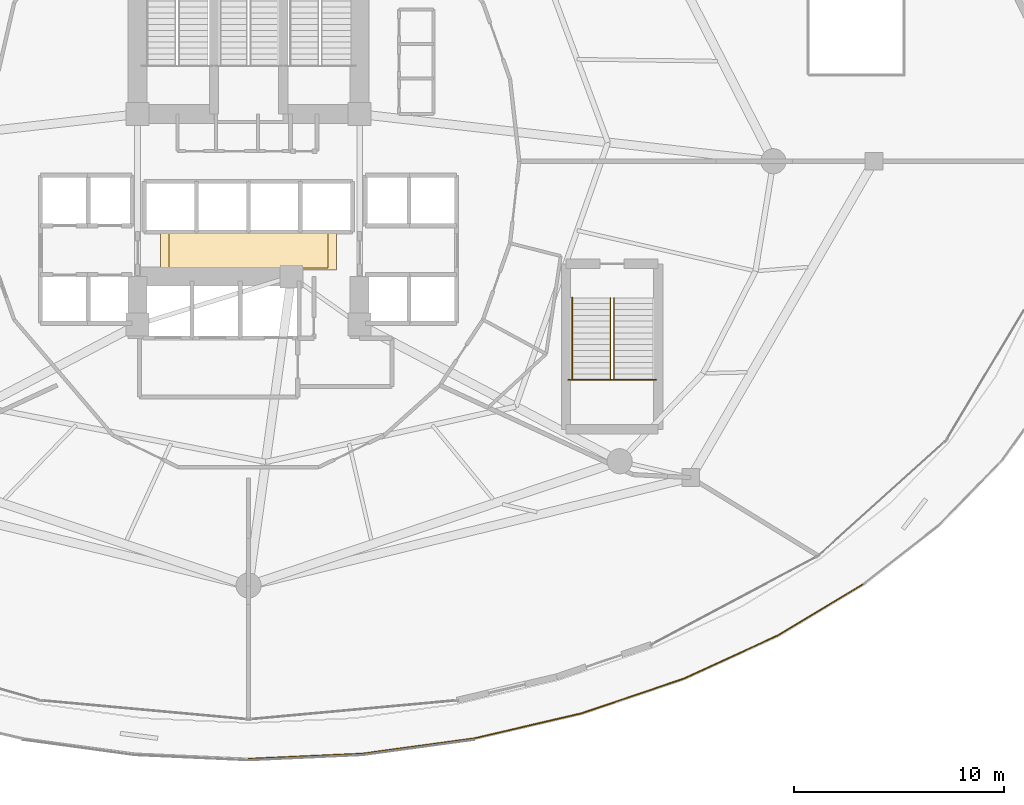
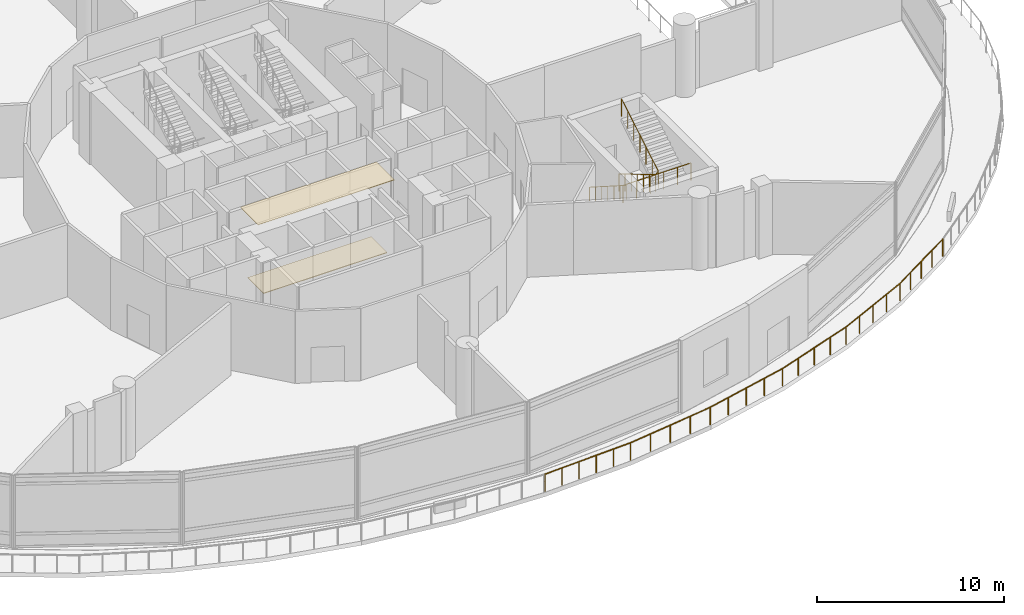
# One storey, part 32 of 37: 4 railings, 2 coverings.
"""IFC4 building model written with IfcOpenShell, lengths in metres."""

import ifcopenshell
import ifcopenshell.guid

model = None  # the IFC model being written
_history = None  # IfcOwnerHistory: only IFC2X3 demands one
_inside = {}  # id of a spatial element -> (the spatial element, [elements in it])
_under = {}  # id of a project, library or spatial element -> (it, [spatial elements below it])
_declared = {}  # id of a project -> (the project, [libraries it declares])
_typed = {}  # id of a type object -> (the type object, [elements of that type])
_made_of = {}  # id of a material, layer set ... -> (it, [elements and type objects made of it])


def new_model(schema):
    """Start an empty IFC model of exactly this schema.

    Asked for "IFC4X3", IfcOpenShell would pick the latest addendum, in which some entities
    have other attributes; the version numbers below select the first issue.
    IFC2X3 requires an IfcOwnerHistory on every rooted entity: one is made here for all.
    """
    global model, _history
    if schema == "IFC4X3":
        model = ifcopenshell.file(schema_version=(4, 3, 0, 0))
    else:
        model = ifcopenshell.file(schema=schema)
    _inside.clear()
    _under.clear()
    _declared.clear()
    _typed.clear()
    _made_of.clear()
    _history = None
    if model.schema == "IFC2X3":
        org = make("IfcOrganization", Name="unknown")
        user = make(
            "IfcPersonAndOrganization",
            ThePerson=make("IfcPerson", FamilyName="unknown"),
            TheOrganization=org,
        )
        app = make(
            "IfcApplication",
            ApplicationDeveloper=org,
            Version="unknown",
            ApplicationFullName="unknown",
            ApplicationIdentifier="unknown",
        )
        _history = make(
            "IfcOwnerHistory",
            OwningUser=user,
            OwningApplication=app,
            ChangeAction="ADDED",
            CreationDate=0,
        )
    return model


def make(cls, **values):
    """One entity of the class cls with the attributes given. An attribute that is None is left unset."""
    return model.create_entity(
        cls, **{name: value for name, value in values.items() if value is not None}
    )


def rooted(cls, **values):
    """An entity with a GlobalId (a new one), such as an element, a storey or a relation."""
    return make(cls, GlobalId=ifcopenshell.guid.new(), OwnerHistory=_history, **values)


def si_unit(unit_type, name, prefix=None):
    """IfcSIUnit, for example si_unit("LENGTHUNIT", "METRE", prefix="MILLI")."""
    return make("IfcSIUnit", UnitType=unit_type, Prefix=prefix, Name=name)


def assignment(units):
    """IfcUnitAssignment: the units of a project."""
    return None if units is None else make("IfcUnitAssignment", Units=units)


def point(xyz):
    """IfcCartesianPoint."""
    return None if xyz is None else make("IfcCartesianPoint", Coordinates=xyz)


def direction(xyz):
    """IfcDirection."""
    return None if xyz is None else make("IfcDirection", DirectionRatios=xyz)


def frame(location, z_axis=None, x_axis=None):
    """IfcAxis2Placement3D, a coordinate frame: its origin and axes. An axis left out is left unset."""
    return make(
        "IfcAxis2Placement3D",
        Location=point(location),
        Axis=direction(z_axis),
        RefDirection=direction(x_axis),
    )


def origin():
    """The frame at (0, 0, 0) with its axes left unset."""
    return frame((0.0, 0.0, 0.0))


def place(relative_to, where):
    """IfcLocalPlacement: puts the frame where relative to a parent placement (None: the world)."""
    return make(
        "IfcLocalPlacement", PlacementRelTo=relative_to, RelativePlacement=where
    )


def context(
    kind, dimensions, precision=None, world=None, true_north=None, identifier=None
):
    """IfcGeometricRepresentationContext, for example the 3D "Model" context."""
    return make(
        "IfcGeometricRepresentationContext",
        ContextIdentifier=identifier,
        ContextType=kind,
        CoordinateSpaceDimension=dimensions,
        Precision=precision,
        WorldCoordinateSystem=world,
        TrueNorth=true_north,
    )


def subcontext(parent, identifier, kind, view, scale=None):
    """IfcGeometricRepresentationSubContext, for example "Body" below "Model"."""
    return make(
        "IfcGeometricRepresentationSubContext",
        ContextIdentifier=identifier,
        ContextType=kind,
        ParentContext=parent,
        TargetScale=scale,
        TargetView=view,
    )


def project(units=None, contexts=None):
    """IfcProject with its units and contexts."""
    return rooted(
        "IfcProject",
        Name="project",
        RepresentationContexts=contexts,
        UnitsInContext=assignment(units),
    )


def spatial(cls, under=None, at=None, **own):
    """A site, building, storey or space (cls), placed at a placement, below another one or the project."""
    s = rooted(cls, ObjectPlacement=at, **own)
    if under is not None:
        _under.setdefault(under.id(), (under, []))[1].append(s)
    return s


def polyline(points):
    """IfcPolyline through the points."""
    return make("IfcPolyline", Points=[point(p) for p in points])


def outline(outer, holes=None, kind="AREA"):
    """IfcArbitraryClosedProfileDef: a profile drawn as a closed curve; with holes, ...WithVoids."""
    if holes is None:
        return make("IfcArbitraryClosedProfileDef", ProfileType=kind, OuterCurve=outer)
    return make(
        "IfcArbitraryProfileDefWithVoids",
        ProfileType=kind,
        OuterCurve=outer,
        InnerCurves=holes,
    )


def extrude(swept, where, along, depth):
    """IfcExtrudedAreaSolid: the profile swept, set in the frame where, extruded along a direction by depth."""
    return make(
        "IfcExtrudedAreaSolid",
        SweptArea=swept,
        Position=where,
        ExtrudedDirection=direction(along),
        Depth=depth,
    )


def shape(context_of_items, identifier, shape_type, items):
    """IfcShapeRepresentation: the items that make up one representation, for example the "Body"."""
    return make(
        "IfcShapeRepresentation",
        ContextOfItems=context_of_items,
        RepresentationIdentifier=identifier,
        RepresentationType=shape_type,
        Items=items,
    )


def material(Name=None, Category=None):
    """IfcMaterial."""
    return make("IfcMaterial", Name=Name, Category=Category)


def layer(
    of_material, thickness, ventilated=None, Name=None, Category=None, Priority=None
):
    """IfcMaterialLayer: one layer of a wall or slab, of a material (None: an air gap)."""
    return make(
        "IfcMaterialLayer",
        Material=of_material,
        LayerThickness=thickness,
        IsVentilated=ventilated,
        Name=Name,
        Category=Category,
        Priority=Priority,
    )


def layer_set(layers, Name=None):
    """IfcMaterialLayerSet."""
    return make("IfcMaterialLayerSet", MaterialLayers=layers, LayerSetName=Name)


def made_of(thing, what):
    """Note that an element or type object is made of a material, layer set ...; save() writes the relation."""
    if what is not None:
        _made_of.setdefault(what.id(), (what, []))[1].append(thing)
    return thing


def type_object(cls, material=None, **own):
    """A type object (cls), such as IfcWallType, which elements share."""
    return made_of(rooted(cls, **own), material)


def element(
    cls,
    number,
    at=None,
    inside=None,
    cuts=None,
    type_object=None,
    material=None,
    context=None,
    identifier="Body",
    shape_type=None,
    held_by="IfcProductDefinitionShape",
    body=None,
    shapes=None,
    **own,
):
    """One element of the class cls, such as IfcWall. Its Tag is "e" and its number.

    at: its placement. inside: the storey or other place that contains it. cuts: it is an
    opening in that element (IfcRelVoidsElement). A single representation is given by context,
    identifier, shape_type and body (its items); several are given by shapes. held_by: the class
    of the entity that holds the representations. save() writes the other relations.
    """
    e = rooted(cls, Tag="e%d" % number, ObjectPlacement=at, **own)
    if body is not None:
        shapes = [shape(context, identifier, shape_type, body)]
    if shapes is not None:
        e.Representation = make(held_by, Representations=shapes)
    if inside is not None:
        _inside.setdefault(inside.id(), (inside, []))[1].append(e)
    if cuts is not None:
        rooted(
            "IfcRelVoidsElement", RelatingBuildingElement=cuts, RelatedOpeningElement=e
        )
    if type_object is not None:
        _typed.setdefault(type_object.id(), (type_object, []))[1].append(e)
    return made_of(e, material)


def aggregate(whole, parts):
    """IfcRelAggregates: a whole, such as a stair, and the parts it consists of."""
    return rooted("IfcRelAggregates", RelatingObject=whole, RelatedObjects=parts)


def save(model, path):
    """Write the relations noted so far, then the file.

    IfcRelAggregates (storeys below a building ...), IfcRelContainedInSpatialStructure (elements
    in a storey), IfcRelDefinesByType, IfcRelAssociatesMaterial and IfcRelDeclares: one each for
    every whole, place, type object, material and project.
    """
    for whole, parts in _under.values():
        aggregate(whole, parts)
    for where, things in _inside.values():
        rooted(
            "IfcRelContainedInSpatialStructure",
            RelatedElements=things,
            RelatingStructure=where,
        )
    for kind, things in _typed.values():
        rooted("IfcRelDefinesByType", RelatedObjects=things, RelatingType=kind)
    for what, things in _made_of.values():
        rooted("IfcRelAssociatesMaterial", RelatedObjects=things, RelatingMaterial=what)
    for by, libraries in _declared.values():
        rooted("IfcRelDeclares", RelatingContext=by, RelatedDefinitions=libraries)
    model.write(path)


model = new_model("IFC4")

# Units and contexts
model_context = context("Model", 3, precision=1e-05, world=origin(), true_north=direction((0.0, 1.0)))
body_context = subcontext(model_context, "Body", "Model", "MODEL_VIEW")
ifc_project = project(units=[si_unit("LENGTHUNIT", "METRE"), si_unit("AREAUNIT", "SQUARE_METRE"), si_unit("VOLUMEUNIT", "CUBIC_METRE"), si_unit("PLANEANGLEUNIT", "RADIAN"), si_unit("MASSUNIT", "GRAM", prefix="KILO")], contexts=[model_context])

# Site, building, storey
site_placement = place(None, origin())
site = spatial("IfcSite", under=ifc_project, at=site_placement, CompositionType="ELEMENT")
building_placement = place(site_placement, origin())
building = spatial("IfcBuilding", under=site, at=building_placement, Name="Nuhasar Tower", CompositionType="ELEMENT")
storey_placement = place(building_placement, frame((0.0, 0.0, 6.0)))
storey = spatial("IfcBuildingStorey", under=building, at=storey_placement, Name="L01", CompositionType="ELEMENT", Elevation=6.0)

# Coverings
ifc_material_1 = material(Name="Mineral Fibre Acoustic", Category="insulation")
ifc_layer_1 = layer(ifc_material_1, 0.0400390625)
ifc_layer_set_1 = layer_set([ifc_layer_1], Name="Mineral Fibre Acoustic")
covering_type_1 = type_object("IfcCoveringType", Name="COV-CEIL-AC60", PredefinedType="CEILING", material=ifc_layer_set_1)
covering_1_placement = place(storey_placement, frame((0.0, 0.0, 4.659912109375)))
element("IfcCovering", 1, at=covering_1_placement, inside=storey, type_object=covering_type_1, Name="L01 Lift Lobby Acoustic Ceiling", PredefinedType="CEILING", context=body_context, shape_type="SweptSolid", body=[
    extrude(outline(polyline([(34.800048828125, 21.60009765625), (43.199951171875, 21.60009765625), (43.199951171875, 23.5), (34.800048828125, 23.5), (34.800048828125, 21.60009765625)])), origin(), (0.0, 0.0, 1.0), 0.0400390625),
])
ifc_material_2 = material(Name="Granite Stone Tile", Category="masonry")
ifc_layer_2 = layer(ifc_material_2, 0.0400390625)
ifc_layer_set_2 = layer_set([ifc_layer_2], Name="Granite Stone Tile")
covering_type_2 = type_object("IfcCoveringType", Name="COV-FLR-STN40", PredefinedType="FLOORING", material=ifc_layer_set_2)
covering_2_placement = place(storey_placement, origin())
element("IfcCovering", 2, at=covering_2_placement, inside=storey, type_object=covering_type_2, Name="L01 Granite Lobby Flooring", PredefinedType="FLOORING", context=body_context, shape_type="SweptSolid", body=[
    extrude(outline(polyline([(35.199951171875, 21.699951171875), (42.800048828125, 21.699951171875), (42.800048828125, 23.39990234375), (35.199951171875, 23.39990234375), (35.199951171875, 21.699951171875)])), origin(), (0.0, 0.0, 1.0), 0.0400390625),
])

# Railings
ifc_material_3 = material(Name="Steel S355", Category="steel")
railing_type_1 = type_object("IfcRailingType", Name="RLG-STAIR-GUARD-1150", PredefinedType="GUARDRAIL", material=ifc_material_3)
railing_1_placement = place(storey_placement, frame((54.25, 16.364990234375, 2.5)))
element("IfcRailing", 3, at=railing_1_placement, inside=storey, type_object=railing_type_1, Name="L01 Stair ST-05 Guardrail LND", PredefinedType="GUARDRAIL", context=body_context, shape_type="SweptSolid", body=[
    extrude(outline(polyline([(0.024169921875, 0.0), (0.01708984375, 0.01708984375), (0.0, 0.024169921875), (-0.01708984375, 0.01708984375), (-0.024169921875, 0.0), (-0.01708984375, -0.01708984375), (0.0, -0.024169921875), (0.01708984375, -0.01708984375), (0.024169921875, 0.0)])), frame((0.0, 0.0, 1.1259765625), z_axis=(1.0, 0.0, 0.0), x_axis=(0.0, 1.0, 0.0)), (0.0, 0.0, 1.0), 4.199951171875),
    extrude(outline(polyline([(0.02099609375, 0.0), (0.014892578125, 0.014892578125), (0.0, 0.02099609375), (-0.014892578125, 0.014892578125), (-0.02099609375, 0.0), (-0.014892578125, -0.014892578125), (0.0, -0.02099609375), (0.014892578125, -0.014892578125), (0.02099609375, 0.0)])), origin(), (0.0, 0.0, 1.0), 1.101806640625),
    extrude(outline(polyline([(0.02099609375, 0.0), (0.014892578125, 0.014892578125), (0.0, 0.02099609375), (-0.014892578125, 0.014892578125), (-0.02099609375, 0.0), (-0.014892578125, -0.014892578125), (0.0, -0.02099609375), (0.014892578125, -0.014892578125), (0.02099609375, 0.0)])), frame((0.840087890625, 0.0, 0.0)), (0.0, 0.0, 1.0), 1.101806640625),
    extrude(outline(polyline([(0.02099609375, 0.0), (0.014892578125, 0.014892578125), (0.0, 0.02099609375), (-0.014892578125, 0.014892578125), (-0.02099609375, 0.0), (-0.014892578125, -0.014892578125), (0.0, -0.02099609375), (0.014892578125, -0.014892578125), (0.02099609375, 0.0)])), frame((1.679931640625, 0.0, 0.0)), (0.0, 0.0, 1.0), 1.101806640625),
    extrude(outline(polyline([(0.02099609375, 0.0), (0.014892578125, 0.014892578125), (0.0, 0.02099609375), (-0.014892578125, 0.014892578125), (-0.02099609375, 0.0), (-0.014892578125, -0.014892578125), (0.0, -0.02099609375), (0.014892578125, -0.014892578125), (0.02099609375, 0.0)])), frame((2.52001953125, 0.0, 0.0)), (0.0, 0.0, 1.0), 1.101806640625),
    extrude(outline(polyline([(0.02099609375, 0.0), (0.014892578125, 0.014892578125), (0.0, 0.02099609375), (-0.014892578125, 0.014892578125), (-0.02099609375, 0.0), (-0.014892578125, -0.014892578125), (0.0, -0.02099609375), (0.014892578125, -0.014892578125), (0.02099609375, 0.0)])), frame((3.35986328125, 0.0, 0.0)), (0.0, 0.0, 1.0), 1.101806640625),
    extrude(outline(polyline([(0.02099609375, 0.0), (0.014892578125, 0.014892578125), (0.0, 0.02099609375), (-0.014892578125, 0.014892578125), (-0.02099609375, 0.0), (-0.014892578125, -0.014892578125), (0.0, -0.02099609375), (0.014892578125, -0.014892578125), (0.02099609375, 0.0)])), frame((4.199951171875, 0.0, 0.0)), (0.0, 0.0, 1.0), 1.101806640625),
])
railing_2_placement = place(storey_placement, frame((56.27001953125, 20.284912109375, 0.1669921875)))
element("IfcRailing", 4, at=railing_2_placement, inside=storey, type_object=railing_type_1, Name="L01 Stair ST-05 Guardrail SLT", PredefinedType="GUARDRAIL", context=body_context, shape_type="SweptSolid", body=[
    extrude(outline(polyline([(0.024169921875, 0.0), (0.01708984375, 0.01708984375), (0.0, 0.024169921875), (-0.01708984375, 0.01708984375), (-0.024169921875, 0.0), (-0.01708984375, -0.01708984375), (0.0, -0.024169921875), (0.01708984375, -0.01708984375), (0.024169921875, 0.0)])), frame((0.0, 0.0, 1.1259765625), z_axis=(0.0, -0.85931976652, 0.511438695121), x_axis=(1.0, 0.0, 0.0)), (0.0, 0.0, 1.0), 4.561767578125),
    extrude(outline(polyline([(0.024169921875, 0.0), (0.01708984375, 0.01708984375), (0.0, 0.024169921875), (-0.01708984375, 0.01708984375), (-0.024169921875, 0.0), (-0.01708984375, -0.01708984375), (0.0, -0.024169921875), (0.01708984375, -0.01708984375), (0.024169921875, 0.0)])), frame((0.0, -3.919921875, 3.458984375), z_axis=(0.691630103864, 0.0, 0.722251894722), x_axis=(0.0, 1.0, 0.0)), (0.0, 0.0, 1.0), 0.231201171875),
    extrude(outline(polyline([(0.024169921875, 0.0), (0.01708984375, 0.01708984375), (0.0, 0.024169921875), (-0.01708984375, 0.01708984375), (-0.024169921875, 0.0), (-0.01708984375, -0.01708984375), (0.0, -0.024169921875), (0.01708984375, -0.01708984375), (0.024169921875, 0.0)])), frame((0.159912109375, -3.919921875, 3.6259765625), z_axis=(0.0, 0.85931976652, 0.511438695121), x_axis=(-1.0, 0.0, 0.0)), (0.0, 0.0, 1.0), 4.561767578125),
    extrude(outline(polyline([(0.02099609375, 0.0), (0.014892578125, 0.014892578125), (0.0, 0.02099609375), (-0.014892578125, 0.014892578125), (-0.02099609375, 0.0), (-0.014892578125, -0.014892578125), (0.0, -0.02099609375), (0.014892578125, -0.014892578125), (0.02099609375, 0.0)])), origin(), (0.0, 0.0, 1.0), 1.101806640625),
    extrude(outline(polyline([(0.02099609375, 0.0), (0.014892578125, 0.014892578125), (0.0, 0.02099609375), (-0.014892578125, 0.014892578125), (-0.02099609375, 0.0), (-0.014892578125, -0.014892578125), (0.0, -0.02099609375), (0.014892578125, -0.014892578125), (0.02099609375, 0.0)])), frame((0.0, -0.6533203125, 0.388916015625)), (0.0, 0.0, 1.0), 1.101806640625),
    extrude(outline(polyline([(0.02099609375, 0.0), (0.014892578125, 0.014892578125), (0.0, 0.02099609375), (-0.014892578125, 0.014892578125), (-0.02099609375, 0.0), (-0.014892578125, -0.014892578125), (0.0, -0.02099609375), (0.014892578125, -0.014892578125), (0.02099609375, 0.0)])), frame((0.0, -1.306640625, 0.777587890625)), (0.0, 0.0, 1.0), 1.101806640625),
    extrude(outline(polyline([(0.02099609375, 0.0), (0.014892578125, 0.014892578125), (0.0, 0.02099609375), (-0.014892578125, 0.014892578125), (-0.02099609375, 0.0), (-0.014892578125, -0.014892578125), (0.0, -0.02099609375), (0.014892578125, -0.014892578125), (0.02099609375, 0.0)])), frame((0.0, -1.9599609375, 1.16650390625)), (0.0, 0.0, 1.0), 1.101806640625),
    extrude(outline(polyline([(0.02099609375, 0.0), (0.014892578125, 0.014892578125), (0.0, 0.02099609375), (-0.014892578125, 0.014892578125), (-0.02099609375, 0.0), (-0.014892578125, -0.014892578125), (0.0, -0.02099609375), (0.014892578125, -0.014892578125), (0.02099609375, 0.0)])), frame((0.0, -2.61328125, 1.555419921875)), (0.0, 0.0, 1.0), 1.101806640625),
    extrude(outline(polyline([(0.02099609375, 0.0), (0.014892578125, 0.014892578125), (0.0, 0.02099609375), (-0.014892578125, 0.014892578125), (-0.02099609375, 0.0), (-0.014892578125, -0.014892578125), (0.0, -0.02099609375), (0.014892578125, -0.014892578125), (0.02099609375, 0.0)])), frame((0.0, -3.2666015625, 1.944091796875)), (0.0, 0.0, 1.0), 1.101806640625),
    extrude(outline(polyline([(0.02099609375, 0.0), (0.014892578125, 0.014892578125), (0.0, 0.02099609375), (-0.014892578125, 0.014892578125), (-0.02099609375, 0.0), (-0.014892578125, -0.014892578125), (0.0, -0.02099609375), (0.014892578125, -0.014892578125), (0.02099609375, 0.0)])), frame((0.0, -3.919921875, 2.3330078125)), (0.0, 0.0, 1.0), 1.101806640625),
    extrude(outline(polyline([(0.02099609375, 0.0), (0.014892578125, 0.014892578125), (0.0, 0.02099609375), (-0.014892578125, 0.014892578125), (-0.02099609375, 0.0), (-0.014892578125, -0.014892578125), (0.0, -0.02099609375), (0.014892578125, -0.014892578125), (0.02099609375, 0.0)])), frame((0.159912109375, -3.919921875, 2.5)), (0.0, 0.0, 1.0), 1.101806640625),
    extrude(outline(polyline([(0.02099609375, 0.0), (0.014892578125, 0.014892578125), (0.0, 0.02099609375), (-0.014892578125, 0.014892578125), (-0.02099609375, 0.0), (-0.014892578125, -0.014892578125), (0.0, -0.02099609375), (0.014892578125, -0.014892578125), (0.02099609375, 0.0)])), frame((0.159912109375, -3.2666015625, 2.888916015625)), (0.0, 0.0, 1.0), 1.101806640625),
    extrude(outline(polyline([(0.02099609375, 0.0), (0.014892578125, 0.014892578125), (0.0, 0.02099609375), (-0.014892578125, 0.014892578125), (-0.02099609375, 0.0), (-0.014892578125, -0.014892578125), (0.0, -0.02099609375), (0.014892578125, -0.014892578125), (0.02099609375, 0.0)])), frame((0.159912109375, -2.61328125, 3.277587890625)), (0.0, 0.0, 1.0), 1.101806640625),
    extrude(outline(polyline([(0.02099609375, 0.0), (0.014892578125, 0.014892578125), (0.0, 0.02099609375), (-0.014892578125, 0.014892578125), (-0.02099609375, 0.0), (-0.014892578125, -0.014892578125), (0.0, -0.02099609375), (0.014892578125, -0.014892578125), (0.02099609375, 0.0)])), frame((0.159912109375, -1.9599609375, 3.66650390625)), (0.0, 0.0, 1.0), 1.101806640625),
    extrude(outline(polyline([(0.02099609375, 0.0), (0.014892578125, 0.014892578125), (0.0, 0.02099609375), (-0.014892578125, 0.014892578125), (-0.02099609375, 0.0), (-0.014892578125, -0.014892578125), (0.0, -0.02099609375), (0.014892578125, -0.014892578125), (0.02099609375, 0.0)])), frame((0.159912109375, -1.306640625, 4.055419921875)), (0.0, 0.0, 1.0), 1.101806640625),
    extrude(outline(polyline([(0.02099609375, 0.0), (0.014892578125, 0.014892578125), (0.0, 0.02099609375), (-0.014892578125, 0.014892578125), (-0.02099609375, 0.0), (-0.014892578125, -0.014892578125), (0.0, -0.02099609375), (0.014892578125, -0.014892578125), (0.02099609375, 0.0)])), frame((0.159912109375, -0.6533203125, 4.444091796875)), (0.0, 0.0, 1.0), 1.101806640625),
    extrude(outline(polyline([(0.02099609375, 0.0), (0.014892578125, 0.014892578125), (0.0, 0.02099609375), (-0.014892578125, 0.014892578125), (-0.02099609375, 0.0), (-0.014892578125, -0.014892578125), (0.0, -0.02099609375), (0.014892578125, -0.014892578125), (0.02099609375, 0.0)])), frame((0.159912109375, 0.0, 4.8330078125)), (0.0, 0.0, 1.0), 1.101806640625),
])
ifc_material_4 = material(Name="Stainless Steel 316L", Category="steel")
railing_type_2 = type_object("IfcRailingType", Name="RLG-STAIR-HAND-920", PredefinedType="HANDRAIL", material=ifc_material_4)
railing_3_placement = place(storey_placement, frame((54.449951171875, 20.284912109375, 0.1669921875)))
element("IfcRailing", 5, at=railing_3_placement, inside=storey, type_object=railing_type_2, Name="L01 Stair ST-05 Handrail HND1", PredefinedType="HANDRAIL", context=body_context, shape_type="SweptSolid", body=[
    extrude(outline(polyline([(0.024169921875, 0.0), (0.01708984375, 0.01708984375), (0.0, 0.024169921875), (-0.01708984375, 0.01708984375), (-0.024169921875, 0.0), (-0.01708984375, -0.01708984375), (0.0, -0.024169921875), (0.01708984375, -0.01708984375), (0.024169921875, 0.0)])), frame((0.0, 0.0, 0.89599609375), z_axis=(0.0, -0.843124831705, 0.537717879712), x_axis=(1.0, 0.0, 0.0)), (0.0, 0.0, 1.0), 4.649169921875),
    extrude(outline(polyline([(0.02099609375, 0.0), (0.014892578125, 0.014892578125), (0.0, 0.02099609375), (-0.014892578125, 0.014892578125), (-0.02099609375, 0.0), (-0.014892578125, -0.014892578125), (0.0, -0.02099609375), (0.014892578125, -0.014892578125), (0.02099609375, 0.0)])), origin(), (0.0, 0.0, 1.0), 0.871826171875),
    extrude(outline(polyline([(0.02099609375, 0.0), (0.014892578125, 0.014892578125), (0.0, 0.02099609375), (-0.014892578125, 0.014892578125), (-0.02099609375, 0.0), (-0.014892578125, -0.014892578125), (0.0, -0.02099609375), (0.014892578125, -0.014892578125), (0.02099609375, 0.0)])), frame((0.0, -0.6533203125, 0.416748046875)), (0.0, 0.0, 1.0), 0.871826171875),
    extrude(outline(polyline([(0.02099609375, 0.0), (0.014892578125, 0.014892578125), (0.0, 0.02099609375), (-0.014892578125, 0.014892578125), (-0.02099609375, 0.0), (-0.014892578125, -0.014892578125), (0.0, -0.02099609375), (0.014892578125, -0.014892578125), (0.02099609375, 0.0)])), frame((0.0, -1.306640625, 0.833251953125)), (0.0, 0.0, 1.0), 0.871826171875),
    extrude(outline(polyline([(0.02099609375, 0.0), (0.014892578125, 0.014892578125), (0.0, 0.02099609375), (-0.014892578125, 0.014892578125), (-0.02099609375, 0.0), (-0.014892578125, -0.014892578125), (0.0, -0.02099609375), (0.014892578125, -0.014892578125), (0.02099609375, 0.0)])), frame((0.0, -1.9599609375, 1.25)), (0.0, 0.0, 1.0), 0.871826171875),
    extrude(outline(polyline([(0.02099609375, 0.0), (0.014892578125, 0.014892578125), (0.0, 0.02099609375), (-0.014892578125, 0.014892578125), (-0.02099609375, 0.0), (-0.014892578125, -0.014892578125), (0.0, -0.02099609375), (0.014892578125, -0.014892578125), (0.02099609375, 0.0)])), frame((0.0, -2.61328125, 1.666748046875)), (0.0, 0.0, 1.0), 0.871826171875),
    extrude(outline(polyline([(0.02099609375, 0.0), (0.014892578125, 0.014892578125), (0.0, 0.02099609375), (-0.014892578125, 0.014892578125), (-0.02099609375, 0.0), (-0.014892578125, -0.014892578125), (0.0, -0.02099609375), (0.014892578125, -0.014892578125), (0.02099609375, 0.0)])), frame((0.0, -3.2666015625, 2.083251953125)), (0.0, 0.0, 1.0), 0.871826171875),
    extrude(outline(polyline([(0.02099609375, 0.0), (0.014892578125, 0.014892578125), (0.0, 0.02099609375), (-0.014892578125, 0.014892578125), (-0.02099609375, 0.0), (-0.014892578125, -0.014892578125), (0.0, -0.02099609375), (0.014892578125, -0.014892578125), (0.02099609375, 0.0)])), frame((0.0, -3.919921875, 2.5)), (0.0, 0.0, 1.0), 0.871826171875),
])
railing_type_3 = type_object("IfcRailingType", Name="RLG-TERR-1150", PredefinedType="BALUSTRADE", material=ifc_material_3)
railing_4_placement = place(storey_placement, frame((39.0, -1.719970703125, 0.0)))
element("IfcRailing", 6, at=railing_4_placement, inside=storey, type_object=railing_type_3, Name="L01 Bustan Terrace Perimeter Balustrade 07", PredefinedType="BALUSTRADE", context=body_context, shape_type="SweptSolid", body=[
    extrude(outline(polyline([(0.024169921875, 0.0), (0.01708984375, 0.01708984375), (0.0, 0.024169921875), (-0.01708984375, 0.01708984375), (-0.024169921875, 0.0), (-0.01708984375, -0.01708984375), (0.0, -0.024169921875), (0.01708984375, -0.01708984375), (0.024169921875, 0.0)])), frame((0.0, 0.0, 1.1259765625), z_axis=(0.998988671287, 0.044962591576, 0.0), x_axis=(-0.044962591576, 0.998988671287, 0.0)), (0.0, 0.0, 1.0), 5.42431640625),
    extrude(outline(polyline([(0.024169921875, 0.0), (0.01708984375, 0.01708984375), (0.0, 0.024169921875), (-0.01708984375, 0.01708984375), (-0.024169921875, 0.0), (-0.01708984375, -0.01708984375), (0.0, -0.024169921875), (0.01708984375, -0.01708984375), (0.024169921875, 0.0)])), frame((5.4189453125, 0.243896484375, 1.1259765625), z_axis=(0.990790336006, 0.135404985425, 0.0), x_axis=(-0.135404985425, 0.990790336006, 0.0)), (0.0, 0.0, 1.0), 5.376708984375),
    extrude(outline(polyline([(0.024169921875, 0.0), (0.01708984375, 0.01708984375), (0.0, 0.024169921875), (-0.01708984375, 0.01708984375), (-0.024169921875, 0.0), (-0.01708984375, -0.01708984375), (0.0, -0.024169921875), (0.01708984375, -0.01708984375), (0.024169921875, 0.0)])), frame((10.74609375, 0.971923828125, 1.1259765625), z_axis=(0.973883819877, 0.227046923305, 0.0), x_axis=(-0.227046923305, 0.973883819877, 0.0)), (0.0, 0.0, 1.0), 5.28076171875),
    extrude(outline(polyline([(0.024169921875, 0.0), (0.01708984375, 0.01708984375), (0.0, 0.024169921875), (-0.01708984375, 0.01708984375), (-0.024169921875, 0.0), (-0.01708984375, -0.01708984375), (0.0, -0.024169921875), (0.01708984375, -0.01708984375), (0.024169921875, 0.0)])), frame((15.888916015625, 2.1708984375, 1.1259765625), z_axis=(0.94712922006, 0.320852365597, 0.0), x_axis=(-0.320852365597, 0.94712922006, 0.0)), (0.0, 0.0, 1.0), 5.14306640625),
    extrude(outline(polyline([(0.024169921875, 0.0), (0.01708984375, 0.01708984375), (0.0, 0.024169921875), (-0.01708984375, 0.01708984375), (-0.024169921875, 0.0), (-0.01708984375, -0.01708984375), (0.0, -0.024169921875), (0.01708984375, -0.01708984375), (0.024169921875, 0.0)])), frame((20.760009765625, 3.821044921875, 1.1259765625), z_axis=(0.908818857155, 0.417190945348, 0.0), x_axis=(-0.417190945348, 0.908818857155, 0.0)), (0.0, 0.0, 1.0), 4.968994140625),
    extrude(outline(polyline([(0.024169921875, 0.0), (0.01708984375, 0.01708984375), (0.0, 0.024169921875), (-0.01708984375, 0.01708984375), (-0.024169921875, 0.0), (-0.01708984375, -0.01708984375), (0.0, -0.024169921875), (0.01708984375, -0.01708984375), (0.024169921875, 0.0)])), frame((25.27587890625, 5.89404296875, 1.1259765625), z_axis=(0.856694284933, 0.51582448775, 0.0), x_axis=(-0.51582448775, 0.856694284933, 0.0)), (0.0, 0.0, 1.0), 4.726318359375),
    extrude(outline(polyline([(0.02099609375, 0.0), (0.014892578125, 0.014892578125), (0.0, 0.02099609375), (-0.014892578125, 0.014892578125), (-0.02099609375, 0.0), (-0.014892578125, -0.014892578125), (0.0, -0.02099609375), (0.014892578125, -0.014892578125), (0.02099609375, 0.0)])), origin(), (0.0, 0.0, 1.0), 1.101806640625),
    extrude(outline(polyline([(0.02099609375, 0.0), (0.014892578125, 0.014892578125), (0.0, 0.02099609375), (-0.014892578125, 0.014892578125), (-0.02099609375, 0.0), (-0.014892578125, -0.014892578125), (0.0, -0.02099609375), (0.014892578125, -0.014892578125), (0.02099609375, 0.0)])), frame((1.083740234375, 0.048828125, 0.0)), (0.0, 0.0, 1.0), 1.101806640625),
    extrude(outline(polyline([(0.02099609375, 0.0), (0.014892578125, 0.014892578125), (0.0, 0.02099609375), (-0.014892578125, 0.014892578125), (-0.02099609375, 0.0), (-0.014892578125, -0.014892578125), (0.0, -0.02099609375), (0.014892578125, -0.014892578125), (0.02099609375, 0.0)])), frame((2.16748046875, 0.09765625, 0.0)), (0.0, 0.0, 1.0), 1.101806640625),
    extrude(outline(polyline([(0.02099609375, 0.0), (0.014892578125, 0.014892578125), (0.0, 0.02099609375), (-0.014892578125, 0.014892578125), (-0.02099609375, 0.0), (-0.014892578125, -0.014892578125), (0.0, -0.02099609375), (0.014892578125, -0.014892578125), (0.02099609375, 0.0)])), frame((3.25146484375, 0.146240234375, 0.0)), (0.0, 0.0, 1.0), 1.101806640625),
    extrude(outline(polyline([(0.02099609375, 0.0), (0.014892578125, 0.014892578125), (0.0, 0.02099609375), (-0.014892578125, 0.014892578125), (-0.02099609375, 0.0), (-0.014892578125, -0.014892578125), (0.0, -0.02099609375), (0.014892578125, -0.014892578125), (0.02099609375, 0.0)])), frame((4.335205078125, 0.195068359375, 0.0)), (0.0, 0.0, 1.0), 1.101806640625),
    extrude(outline(polyline([(0.02099609375, 0.0), (0.014892578125, 0.014892578125), (0.0, 0.02099609375), (-0.014892578125, 0.014892578125), (-0.02099609375, 0.0), (-0.014892578125, -0.014892578125), (0.0, -0.02099609375), (0.014892578125, -0.014892578125), (0.02099609375, 0.0)])), frame((5.4189453125, 0.243896484375, 0.0)), (0.0, 0.0, 1.0), 1.101806640625),
    extrude(outline(polyline([(0.02099609375, 0.0), (0.014892578125, 0.014892578125), (0.0, 0.02099609375), (-0.014892578125, 0.014892578125), (-0.02099609375, 0.0), (-0.014892578125, -0.014892578125), (0.0, -0.02099609375), (0.014892578125, -0.014892578125), (0.02099609375, 0.0)])), frame((6.750732421875, 0.42578125, 0.0)), (0.0, 0.0, 1.0), 1.101806640625),
    extrude(outline(polyline([(0.02099609375, 0.0), (0.014892578125, 0.014892578125), (0.0, 0.02099609375), (-0.014892578125, 0.014892578125), (-0.02099609375, 0.0), (-0.014892578125, -0.014892578125), (0.0, -0.02099609375), (0.014892578125, -0.014892578125), (0.02099609375, 0.0)])), frame((8.08251953125, 0.60791015625, 0.0)), (0.0, 0.0, 1.0), 1.101806640625),
    extrude(outline(polyline([(0.02099609375, 0.0), (0.014892578125, 0.014892578125), (0.0, 0.02099609375), (-0.014892578125, 0.014892578125), (-0.02099609375, 0.0), (-0.014892578125, -0.014892578125), (0.0, -0.02099609375), (0.014892578125, -0.014892578125), (0.02099609375, 0.0)])), frame((9.414306640625, 0.7900390625, 0.0)), (0.0, 0.0, 1.0), 1.101806640625),
    extrude(outline(polyline([(0.02099609375, 0.0), (0.014892578125, 0.014892578125), (0.0, 0.02099609375), (-0.014892578125, 0.014892578125), (-0.02099609375, 0.0), (-0.014892578125, -0.014892578125), (0.0, -0.02099609375), (0.014892578125, -0.014892578125), (0.02099609375, 0.0)])), frame((10.74609375, 0.971923828125, 0.0)), (0.0, 0.0, 1.0), 1.101806640625),
    extrude(outline(polyline([(0.02099609375, 0.0), (0.014892578125, 0.014892578125), (0.0, 0.02099609375), (-0.014892578125, 0.014892578125), (-0.02099609375, 0.0), (-0.014892578125, -0.014892578125), (0.0, -0.02099609375), (0.014892578125, -0.014892578125), (0.02099609375, 0.0)])), frame((12.03173828125, 1.271728515625, 0.0)), (0.0, 0.0, 1.0), 1.101806640625),
    extrude(outline(polyline([(0.02099609375, 0.0), (0.014892578125, 0.014892578125), (0.0, 0.02099609375), (-0.014892578125, 0.014892578125), (-0.02099609375, 0.0), (-0.014892578125, -0.014892578125), (0.0, -0.02099609375), (0.014892578125, -0.014892578125), (0.02099609375, 0.0)])), frame((13.3173828125, 1.5712890625, 0.0)), (0.0, 0.0, 1.0), 1.101806640625),
    extrude(outline(polyline([(0.02099609375, 0.0), (0.014892578125, 0.014892578125), (0.0, 0.02099609375), (-0.014892578125, 0.014892578125), (-0.02099609375, 0.0), (-0.014892578125, -0.014892578125), (0.0, -0.02099609375), (0.014892578125, -0.014892578125), (0.02099609375, 0.0)])), frame((14.603271484375, 1.87109375, 0.0)), (0.0, 0.0, 1.0), 1.101806640625),
    extrude(outline(polyline([(0.02099609375, 0.0), (0.014892578125, 0.014892578125), (0.0, 0.02099609375), (-0.014892578125, 0.014892578125), (-0.02099609375, 0.0), (-0.014892578125, -0.014892578125), (0.0, -0.02099609375), (0.014892578125, -0.014892578125), (0.02099609375, 0.0)])), frame((15.888916015625, 2.1708984375, 0.0)), (0.0, 0.0, 1.0), 1.101806640625),
    extrude(outline(polyline([(0.02099609375, 0.0), (0.014892578125, 0.014892578125), (0.0, 0.02099609375), (-0.014892578125, 0.014892578125), (-0.02099609375, 0.0), (-0.014892578125, -0.014892578125), (0.0, -0.02099609375), (0.014892578125, -0.014892578125), (0.02099609375, 0.0)])), frame((17.106689453125, 2.58349609375, 0.0)), (0.0, 0.0, 1.0), 1.101806640625),
    extrude(outline(polyline([(0.02099609375, 0.0), (0.014892578125, 0.014892578125), (0.0, 0.02099609375), (-0.014892578125, 0.014892578125), (-0.02099609375, 0.0), (-0.014892578125, -0.014892578125), (0.0, -0.02099609375), (0.014892578125, -0.014892578125), (0.02099609375, 0.0)])), frame((18.324462890625, 2.99609375, 0.0)), (0.0, 0.0, 1.0), 1.101806640625),
    extrude(outline(polyline([(0.02099609375, 0.0), (0.014892578125, 0.014892578125), (0.0, 0.02099609375), (-0.014892578125, 0.014892578125), (-0.02099609375, 0.0), (-0.014892578125, -0.014892578125), (0.0, -0.02099609375), (0.014892578125, -0.014892578125), (0.02099609375, 0.0)])), frame((19.542236328125, 3.408447265625, 0.0)), (0.0, 0.0, 1.0), 1.101806640625),
    extrude(outline(polyline([(0.02099609375, 0.0), (0.014892578125, 0.014892578125), (0.0, 0.02099609375), (-0.014892578125, 0.014892578125), (-0.02099609375, 0.0), (-0.014892578125, -0.014892578125), (0.0, -0.02099609375), (0.014892578125, -0.014892578125), (0.02099609375, 0.0)])), frame((20.760009765625, 3.821044921875, 0.0)), (0.0, 0.0, 1.0), 1.101806640625),
    extrude(outline(polyline([(0.02099609375, 0.0), (0.014892578125, 0.014892578125), (0.0, 0.02099609375), (-0.014892578125, 0.014892578125), (-0.02099609375, 0.0), (-0.014892578125, -0.014892578125), (0.0, -0.02099609375), (0.014892578125, -0.014892578125), (0.02099609375, 0.0)])), frame((21.888916015625, 4.33935546875, 0.0)), (0.0, 0.0, 1.0), 1.101806640625),
    extrude(outline(polyline([(0.02099609375, 0.0), (0.014892578125, 0.014892578125), (0.0, 0.02099609375), (-0.014892578125, 0.014892578125), (-0.02099609375, 0.0), (-0.014892578125, -0.014892578125), (0.0, -0.02099609375), (0.014892578125, -0.014892578125), (0.02099609375, 0.0)])), frame((23.01806640625, 4.857421875, 0.0)), (0.0, 0.0, 1.0), 1.101806640625),
    extrude(outline(polyline([(0.02099609375, 0.0), (0.014892578125, 0.014892578125), (0.0, 0.02099609375), (-0.014892578125, 0.014892578125), (-0.02099609375, 0.0), (-0.014892578125, -0.014892578125), (0.0, -0.02099609375), (0.014892578125, -0.014892578125), (0.02099609375, 0.0)])), frame((24.14697265625, 5.375732421875, 0.0)), (0.0, 0.0, 1.0), 1.101806640625),
    extrude(outline(polyline([(0.02099609375, 0.0), (0.014892578125, 0.014892578125), (0.0, 0.02099609375), (-0.014892578125, 0.014892578125), (-0.02099609375, 0.0), (-0.014892578125, -0.014892578125), (0.0, -0.02099609375), (0.014892578125, -0.014892578125), (0.02099609375, 0.0)])), frame((25.27587890625, 5.89404296875, 0.0)), (0.0, 0.0, 1.0), 1.101806640625),
    extrude(outline(polyline([(0.02099609375, 0.0), (0.014892578125, 0.014892578125), (0.0, 0.02099609375), (-0.014892578125, 0.014892578125), (-0.02099609375, 0.0), (-0.014892578125, -0.014892578125), (0.0, -0.02099609375), (0.014892578125, -0.014892578125), (0.02099609375, 0.0)])), frame((26.2880859375, 6.50341796875, 0.0)), (0.0, 0.0, 1.0), 1.101806640625),
    extrude(outline(polyline([(0.02099609375, 0.0), (0.014892578125, 0.014892578125), (0.0, 0.02099609375), (-0.014892578125, 0.014892578125), (-0.02099609375, 0.0), (-0.014892578125, -0.014892578125), (0.0, -0.02099609375), (0.014892578125, -0.014892578125), (0.02099609375, 0.0)])), frame((27.30029296875, 7.113037109375, 0.0)), (0.0, 0.0, 1.0), 1.101806640625),
    extrude(outline(polyline([(0.02099609375, 0.0), (0.014892578125, 0.014892578125), (0.0, 0.02099609375), (-0.014892578125, 0.014892578125), (-0.02099609375, 0.0), (-0.014892578125, -0.014892578125), (0.0, -0.02099609375), (0.014892578125, -0.014892578125), (0.02099609375, 0.0)])), frame((28.312744140625, 7.72265625, 0.0)), (0.0, 0.0, 1.0), 1.101806640625),
    extrude(outline(polyline([(0.02099609375, 0.0), (0.014892578125, 0.014892578125), (0.0, 0.02099609375), (-0.014892578125, 0.014892578125), (-0.02099609375, 0.0), (-0.014892578125, -0.014892578125), (0.0, -0.02099609375), (0.014892578125, -0.014892578125), (0.02099609375, 0.0)])), frame((29.324951171875, 8.33203125, 0.0)), (0.0, 0.0, 1.0), 1.101806640625),
])

save(model, "model.ifc")
